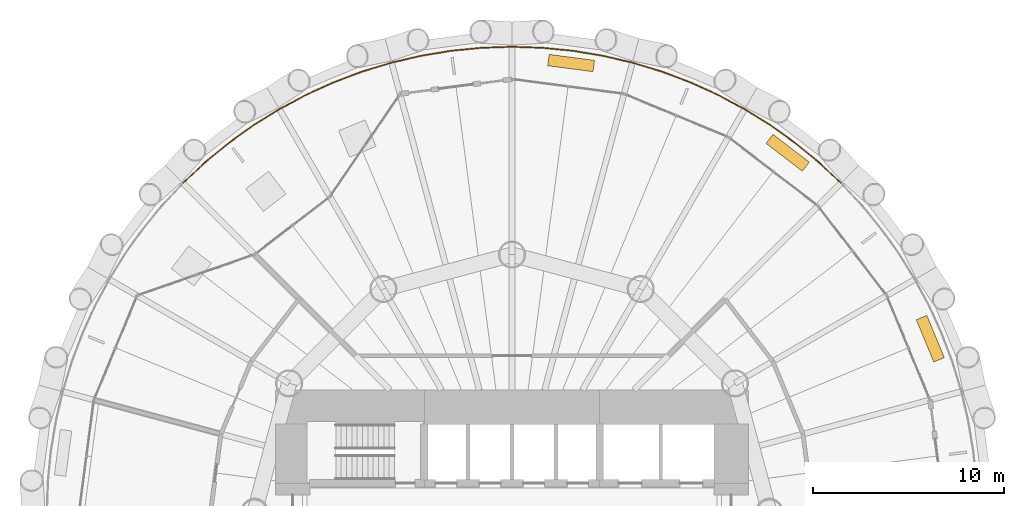
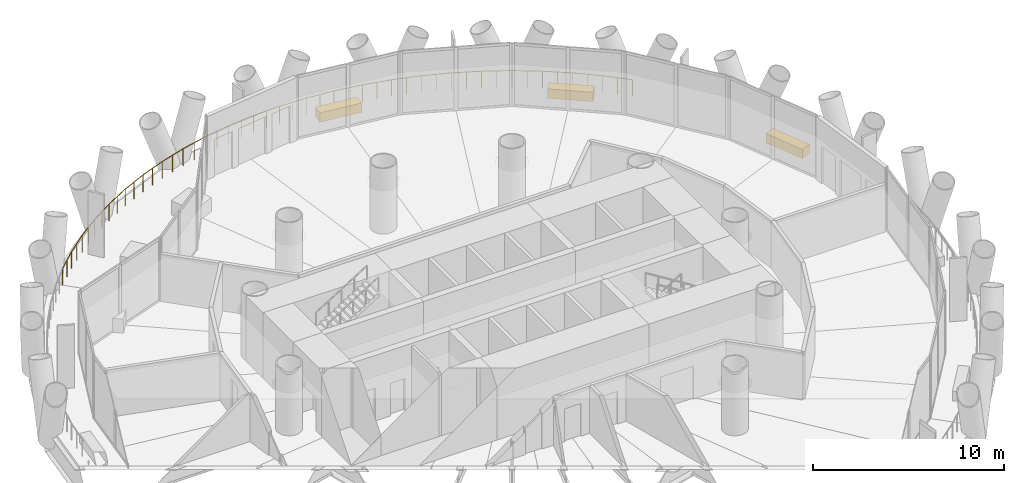
# One storey, part 14 of 14: 3 coverings, 1 railing.
"""IFC4 building model written with IfcOpenShell, lengths in metres."""

from ifc_helpers import new_model, si_unit, direction, frame, origin, origin_2d, place, context, subcontext, project, spatial, rectangle, circle, extrude, material, layer, layer_set, type_object, element, save


model = new_model("IFC4")

# Units and contexts
model_context = context("Model", 3, precision=1e-05, world=origin(), true_north=direction((0.0, 1.0)))
body_context = subcontext(model_context, "Body", "Model", "MODEL_VIEW")
ifc_project = project(units=[si_unit("LENGTHUNIT", "METRE"), si_unit("AREAUNIT", "SQUARE_METRE"), si_unit("VOLUMEUNIT", "CUBIC_METRE"), si_unit("PLANEANGLEUNIT", "RADIAN"), si_unit("MASSUNIT", "GRAM", prefix="KILO")], contexts=[model_context])

# Site, building, storey
site_placement = place(None, origin())
site = spatial("IfcSite", under=ifc_project, at=site_placement, CompositionType="ELEMENT")
building_placement = place(site_placement, origin())
building = spatial("IfcBuilding", under=site, at=building_placement, Name="Qaws Media Tower", CompositionType="ELEMENT")
storey_placement = place(building_placement, frame((0.0, 0.0, 59.60009765625)))
storey = spatial("IfcBuildingStorey", under=building, at=storey_placement, Name="L12", CompositionType="ELEMENT", Elevation=59.60009765625)

# Railing
ifc_material_1 = material(Name="Stainless steel and glass guard", Category="steel")
railing_type = type_object("IfcRailingType", Name="Balcony guard 1100", PredefinedType="GUARDRAIL", material=ifc_material_1)
railing_placement = place(storey_placement, frame((77.25341796875, 67.25341796875, 0.0)))
element("IfcRailing", 1, at=railing_placement, inside=storey, type_object=railing_type, Name="GR1 balcony guard L12-1", PredefinedType="GUARDRAIL", context=body_context, shape_type="SweptSolid", body=[
    extrude(circle(Radius=0.02392578125, at=origin_2d()), frame((0.0, 0.0, 1.076171875), z_axis=(-0.729818476027, 0.683640981839, 0.0), x_axis=(-0.683640981839, -0.729818476027, 0.0)), (0.0, 0.0, 1.0), 1.5966796875),
    extrude(circle(Radius=0.02392578125, at=origin_2d()), frame((-1.165283203125, 1.091552734375, 1.076171875), z_axis=(-0.773036842629, 0.634361127386, 0.0), x_axis=(-0.634361127386, -0.773036842629, 0.0)), (0.0, 0.0, 1.0), 1.5966796875),
    extrude(circle(Radius=0.02392578125, at=origin_2d()), frame((-2.399658203125, 2.1044921875, 1.076171875), z_axis=(-0.812875043976, 0.582438119358, 0.0), x_axis=(-0.582438119358, -0.812875043976, 0.0)), (0.0, 0.0, 1.0), 1.5966796875),
    extrude(circle(Radius=0.02392578125, at=origin_2d()), frame((-3.697509765625, 3.034423828125, 1.076171875), z_axis=(-0.849181552622, 0.528101023183, 0.0), x_axis=(-0.528101023183, -0.849181552622, 0.0)), (0.0, 0.0, 1.0), 1.5966796875),
    extrude(circle(Radius=0.02392578125, at=origin_2d()), frame((-5.053466796875, 3.877685546875, 1.076171875), z_axis=(-0.881925093019, 0.471389573817, 0.0), x_axis=(-0.471389573817, -0.881925093019, 0.0)), (0.0, 0.0, 1.0), 1.5966796875),
    extrude(circle(Radius=0.02392578125, at=origin_2d()), frame((-6.461669921875, 4.63037109375, 1.076171875), z_axis=(-0.910868514456, 0.412696679624, 0.0), x_axis=(-0.412696679624, -0.910868514456, 0.0)), (0.0, 0.0, 1.0), 1.5966796875),
    extrude(circle(Radius=0.02392578125, at=origin_2d()), frame((-7.916015625, 5.289306640625, 1.076171875), z_axis=(-0.935945304178, 0.352145406881, 0.0), x_axis=(-0.352145406881, -0.935945304178, 0.0)), (0.0, 0.0, 1.0), 1.5966796875),
    extrude(circle(Radius=0.02392578125, at=origin_2d()), frame((-9.410400390625, 5.8515625, 1.076171875), z_axis=(-0.956912447649, 0.290376596051, 0.0), x_axis=(-0.290376596051, -0.956912447649, 0.0)), (0.0, 0.0, 1.0), 1.5966796875),
    extrude(circle(Radius=0.02392578125, at=origin_2d()), frame((-10.938232421875, 6.315185546875, 1.076171875), z_axis=(-0.973878416925, 0.227070097211, 0.0), x_axis=(-0.227070097211, -0.973878416925, 0.0)), (0.0, 0.0, 1.0), 1.5966796875),
    extrude(circle(Radius=0.02392578125, at=origin_2d()), frame((-12.4931640625, 6.677734375, 1.076171875), z_axis=(-0.986653027442, 0.162836738606, 0.0), x_axis=(-0.162836738606, -0.986653027442, 0.0)), (0.0, 0.0, 1.0), 1.5966796875),
    extrude(circle(Radius=0.02392578125, at=origin_2d()), frame((-14.068603515625, 6.937744140625, 1.076171875), z_axis=(-0.995184458966, 0.098019858359, 0.0), x_axis=(-0.098019858359, -0.995184458966, 0.0)), (0.0, 0.0, 1.0), 1.596435546875),
    extrude(circle(Radius=0.02392578125, at=origin_2d()), frame((-15.657470703125, 7.09423828125, 1.076171875), z_axis=(-0.999464583588, 0.032719201604, 0.0), x_axis=(-0.032719201604, -0.999464583588, 0.0)), (0.0, 0.0, 1.0), 1.596923828125),
    extrude(circle(Radius=0.02392578125, at=origin_2d()), frame((-17.25341796875, 7.146484375, 1.076171875), z_axis=(-0.999464583588, -0.032719201604, 0.0), x_axis=(0.032719201604, -0.999464583588, 0.0)), (0.0, 0.0, 1.0), 1.596923828125),
    extrude(circle(Radius=0.02392578125, at=origin_2d()), frame((-18.849365234375, 7.09423828125, 1.076171875), z_axis=(-0.995184458966, -0.098019858359, 0.0), x_axis=(0.098019858359, -0.995184458966, 0.0)), (0.0, 0.0, 1.0), 1.596435546875),
    extrude(circle(Radius=0.02392578125, at=origin_2d()), frame((-20.438232421875, 6.937744140625, 1.076171875), z_axis=(-0.986653027442, -0.162836738606, 0.0), x_axis=(0.162836738606, -0.986653027442, 0.0)), (0.0, 0.0, 1.0), 1.5966796875),
    extrude(circle(Radius=0.02392578125, at=origin_2d()), frame((-22.013671875, 6.677734375, 1.076171875), z_axis=(-0.973878416925, -0.227070097211, 0.0), x_axis=(0.227070097211, -0.973878416925, 0.0)), (0.0, 0.0, 1.0), 1.5966796875),
    extrude(circle(Radius=0.02392578125, at=origin_2d()), frame((-23.568603515625, 6.315185546875, 1.076171875), z_axis=(-0.956912447649, -0.290376596051, 0.0), x_axis=(0.290376596051, -0.956912447649, 0.0)), (0.0, 0.0, 1.0), 1.5966796875),
    extrude(circle(Radius=0.02392578125, at=origin_2d()), frame((-25.096435546875, 5.8515625, 1.076171875), z_axis=(-0.935945304178, -0.352145406881, 0.0), x_axis=(0.352145406881, -0.935945304178, 0.0)), (0.0, 0.0, 1.0), 1.5966796875),
    extrude(circle(Radius=0.02392578125, at=origin_2d()), frame((-26.5908203125, 5.289306640625, 1.076171875), z_axis=(-0.910868514456, -0.412696679624, 0.0), x_axis=(0.412696679624, -0.910868514456, 0.0)), (0.0, 0.0, 1.0), 1.5966796875),
    extrude(circle(Radius=0.02392578125, at=origin_2d()), frame((-28.045166015625, 4.63037109375, 1.076171875), z_axis=(-0.881925093019, -0.471389573817, 0.0), x_axis=(0.471389573817, -0.881925093019, 0.0)), (0.0, 0.0, 1.0), 1.5966796875),
    extrude(circle(Radius=0.02392578125, at=origin_2d()), frame((-29.453369140625, 3.877685546875, 1.076171875), z_axis=(-0.849181552622, -0.528101023183, 0.0), x_axis=(0.528101023183, -0.849181552622, 0.0)), (0.0, 0.0, 1.0), 1.5966796875),
    extrude(circle(Radius=0.02392578125, at=origin_2d()), frame((-30.809326171875, 3.034423828125, 1.076171875), z_axis=(-0.812875043976, -0.582438119358, 0.0), x_axis=(0.582438119358, -0.812875043976, 0.0)), (0.0, 0.0, 1.0), 1.5966796875),
    extrude(circle(Radius=0.02392578125, at=origin_2d()), frame((-32.107177734375, 2.1044921875, 1.076171875), z_axis=(-0.773036842629, -0.634361127386, 0.0), x_axis=(0.634361127386, -0.773036842629, 0.0)), (0.0, 0.0, 1.0), 1.5966796875),
    extrude(circle(Radius=0.02392578125, at=origin_2d()), frame((-33.341552734375, 1.091552734375, 1.076171875), z_axis=(-0.729818476027, -0.683640981839, 0.0), x_axis=(0.683640981839, -0.729818476027, 0.0)), (0.0, 0.0, 1.0), 1.5966796875),
    extrude(circle(Radius=0.02099609375, at=origin_2d()), origin(), (0.0, 0.0, 1.0), 1.052001953125),
    extrude(circle(Radius=0.02099609375, at=origin_2d()), frame((-0.58251953125, 0.5458984375, 0.0)), (0.0, 0.0, 1.0), 1.052001953125),
    extrude(circle(Radius=0.02099609375, at=origin_2d()), frame((-1.165283203125, 1.091552734375, 0.0)), (0.0, 0.0, 1.0), 1.052001953125),
    extrude(circle(Radius=0.02099609375, at=origin_2d()), frame((-1.782470703125, 1.59814453125, 0.0)), (0.0, 0.0, 1.0), 1.052001953125),
    extrude(circle(Radius=0.02099609375, at=origin_2d()), frame((-2.399658203125, 2.1044921875, 0.0)), (0.0, 0.0, 1.0), 1.052001953125),
    extrude(circle(Radius=0.02099609375, at=origin_2d()), frame((-3.048583984375, 2.5693359375, 0.0)), (0.0, 0.0, 1.0), 1.052001953125),
    extrude(circle(Radius=0.02099609375, at=origin_2d()), frame((-3.697509765625, 3.034423828125, 0.0)), (0.0, 0.0, 1.0), 1.052001953125),
    extrude(circle(Radius=0.02099609375, at=origin_2d()), frame((-4.37548828125, 3.4560546875, 0.0)), (0.0, 0.0, 1.0), 1.052001953125),
    extrude(circle(Radius=0.02099609375, at=origin_2d()), frame((-5.053466796875, 3.877685546875, 0.0)), (0.0, 0.0, 1.0), 1.052001953125),
    extrude(circle(Radius=0.02099609375, at=origin_2d()), frame((-5.757568359375, 4.25390625, 0.0)), (0.0, 0.0, 1.0), 1.052001953125),
    extrude(circle(Radius=0.02099609375, at=origin_2d()), frame((-6.461669921875, 4.63037109375, 0.0)), (0.0, 0.0, 1.0), 1.052001953125),
    extrude(circle(Radius=0.02099609375, at=origin_2d()), frame((-7.18896484375, 4.9599609375, 0.0)), (0.0, 0.0, 1.0), 1.052001953125),
    extrude(circle(Radius=0.02099609375, at=origin_2d()), frame((-7.916015625, 5.289306640625, 0.0)), (0.0, 0.0, 1.0), 1.052001953125),
    extrude(circle(Radius=0.02099609375, at=origin_2d()), frame((-8.6630859375, 5.5703125, 0.0)), (0.0, 0.0, 1.0), 1.052001953125),
    extrude(circle(Radius=0.02099609375, at=origin_2d()), frame((-9.410400390625, 5.8515625, 0.0)), (0.0, 0.0, 1.0), 1.052001953125),
    extrude(circle(Radius=0.02099609375, at=origin_2d()), frame((-10.17431640625, 6.08349609375, 0.0)), (0.0, 0.0, 1.0), 1.052001953125),
    extrude(circle(Radius=0.02099609375, at=origin_2d()), frame((-10.938232421875, 6.315185546875, 0.0)), (0.0, 0.0, 1.0), 1.052001953125),
    extrude(circle(Radius=0.02099609375, at=origin_2d()), frame((-11.7158203125, 6.49658203125, 0.0)), (0.0, 0.0, 1.0), 1.052001953125),
    extrude(circle(Radius=0.02099609375, at=origin_2d()), frame((-12.4931640625, 6.677734375, 0.0)), (0.0, 0.0, 1.0), 1.052001953125),
    extrude(circle(Radius=0.02099609375, at=origin_2d()), frame((-13.28076171875, 6.8076171875, 0.0)), (0.0, 0.0, 1.0), 1.052001953125),
    extrude(circle(Radius=0.02099609375, at=origin_2d()), frame((-14.068603515625, 6.937744140625, 0.0)), (0.0, 0.0, 1.0), 1.052001953125),
    extrude(circle(Radius=0.02099609375, at=origin_2d()), frame((-14.863037109375, 7.01611328125, 0.0)), (0.0, 0.0, 1.0), 1.052001953125),
    extrude(circle(Radius=0.02099609375, at=origin_2d()), frame((-15.657470703125, 7.09423828125, 0.0)), (0.0, 0.0, 1.0), 1.052001953125),
    extrude(circle(Radius=0.02099609375, at=origin_2d()), frame((-16.45556640625, 7.120361328125, 0.0)), (0.0, 0.0, 1.0), 1.052001953125),
    extrude(circle(Radius=0.02099609375, at=origin_2d()), frame((-17.25341796875, 7.146484375, 0.0)), (0.0, 0.0, 1.0), 1.052001953125),
    extrude(circle(Radius=0.02099609375, at=origin_2d()), frame((-18.05126953125, 7.120361328125, 0.0)), (0.0, 0.0, 1.0), 1.052001953125),
    extrude(circle(Radius=0.02099609375, at=origin_2d()), frame((-18.849365234375, 7.09423828125, 0.0)), (0.0, 0.0, 1.0), 1.052001953125),
    extrude(circle(Radius=0.02099609375, at=origin_2d()), frame((-19.643798828125, 7.01611328125, 0.0)), (0.0, 0.0, 1.0), 1.052001953125),
    extrude(circle(Radius=0.02099609375, at=origin_2d()), frame((-20.438232421875, 6.937744140625, 0.0)), (0.0, 0.0, 1.0), 1.052001953125),
    extrude(circle(Radius=0.02099609375, at=origin_2d()), frame((-21.22607421875, 6.8076171875, 0.0)), (0.0, 0.0, 1.0), 1.052001953125),
    extrude(circle(Radius=0.02099609375, at=origin_2d()), frame((-22.013671875, 6.677734375, 0.0)), (0.0, 0.0, 1.0), 1.052001953125),
    extrude(circle(Radius=0.02099609375, at=origin_2d()), frame((-22.791015625, 6.49658203125, 0.0)), (0.0, 0.0, 1.0), 1.052001953125),
    extrude(circle(Radius=0.02099609375, at=origin_2d()), frame((-23.568603515625, 6.315185546875, 0.0)), (0.0, 0.0, 1.0), 1.052001953125),
    extrude(circle(Radius=0.02099609375, at=origin_2d()), frame((-24.33251953125, 6.08349609375, 0.0)), (0.0, 0.0, 1.0), 1.052001953125),
    extrude(circle(Radius=0.02099609375, at=origin_2d()), frame((-25.096435546875, 5.8515625, 0.0)), (0.0, 0.0, 1.0), 1.052001953125),
    extrude(circle(Radius=0.02099609375, at=origin_2d()), frame((-25.84375, 5.5703125, 0.0)), (0.0, 0.0, 1.0), 1.052001953125),
    extrude(circle(Radius=0.02099609375, at=origin_2d()), frame((-26.5908203125, 5.289306640625, 0.0)), (0.0, 0.0, 1.0), 1.052001953125),
    extrude(circle(Radius=0.02099609375, at=origin_2d()), frame((-27.31787109375, 4.9599609375, 0.0)), (0.0, 0.0, 1.0), 1.052001953125),
    extrude(circle(Radius=0.02099609375, at=origin_2d()), frame((-28.045166015625, 4.63037109375, 0.0)), (0.0, 0.0, 1.0), 1.052001953125),
    extrude(circle(Radius=0.02099609375, at=origin_2d()), frame((-28.749267578125, 4.25390625, 0.0)), (0.0, 0.0, 1.0), 1.052001953125),
    extrude(circle(Radius=0.02099609375, at=origin_2d()), frame((-29.453369140625, 3.877685546875, 0.0)), (0.0, 0.0, 1.0), 1.052001953125),
    extrude(circle(Radius=0.02099609375, at=origin_2d()), frame((-30.13134765625, 3.4560546875, 0.0)), (0.0, 0.0, 1.0), 1.052001953125),
    extrude(circle(Radius=0.02099609375, at=origin_2d()), frame((-30.809326171875, 3.034423828125, 0.0)), (0.0, 0.0, 1.0), 1.052001953125),
    extrude(circle(Radius=0.02099609375, at=origin_2d()), frame((-31.458251953125, 2.5693359375, 0.0)), (0.0, 0.0, 1.0), 1.052001953125),
    extrude(circle(Radius=0.02099609375, at=origin_2d()), frame((-32.107177734375, 2.1044921875, 0.0)), (0.0, 0.0, 1.0), 1.052001953125),
    extrude(circle(Radius=0.02099609375, at=origin_2d()), frame((-32.724365234375, 1.59814453125, 0.0)), (0.0, 0.0, 1.0), 1.052001953125),
    extrude(circle(Radius=0.02099609375, at=origin_2d()), frame((-33.341552734375, 1.091552734375, 0.0)), (0.0, 0.0, 1.0), 1.052001953125),
    extrude(circle(Radius=0.02099609375, at=origin_2d()), frame((-33.92431640625, 0.5458984375, 0.0)), (0.0, 0.0, 1.0), 1.052001953125),
    extrude(circle(Radius=0.02099609375, at=origin_2d()), frame((-34.5068359375, 0.0, 0.0)), (0.0, 0.0, 1.0), 1.052001953125),
])

# Coverings
ifc_material_2 = material(Name="Precast concrete planter with trailing planting", Category="concrete")
ifc_layer = layer(ifc_material_2, 0.60009765625)
ifc_layer_set = layer_set([ifc_layer], Name="Planter 2400x600")
covering_type = type_object("IfcCoveringType", Name="Planter 2400x600", PredefinedType="USERDEFINED", material=ifc_layer_set)
for number, where, z_axis, x_axis, name in (
    (2, (81.942138671875, 59.088623046875, -0.000244140625), (0.0, 0.0, 1.0), (-0.382683432365, 0.923879532511, 0.0), "PL1 balcony planter L12-01"),
    (3, (74.4580078125, 68.842041015625, -0.000244140625), (0.0, 0.0, 1.0), (-0.793353340291, 0.608761429009, 0.0), "PL1 balcony planter L12-02"),
    (4, (63.10009765625, 73.546875, -0.000244140625), (0.0, 0.0, 1.0), (-0.991444861374, 0.13052619222, 0.0), "PL1 balcony planter L12-03"),
):
    element("IfcCovering", number, at=place(storey_placement, frame(where, z_axis=z_axis, x_axis=x_axis)), inside=storey, type_object=covering_type, Name=name, ObjectType="PLANTER", PredefinedType="USERDEFINED", context=body_context, shape_type="SweptSolid", body=[
        extrude(rectangle(XDim=2.39990234375, YDim=0.60009765625, at=origin_2d()), origin(), (0.0, 0.0, 1.0), 0.60009765625),
    ])

save(model, "model.ifc")
